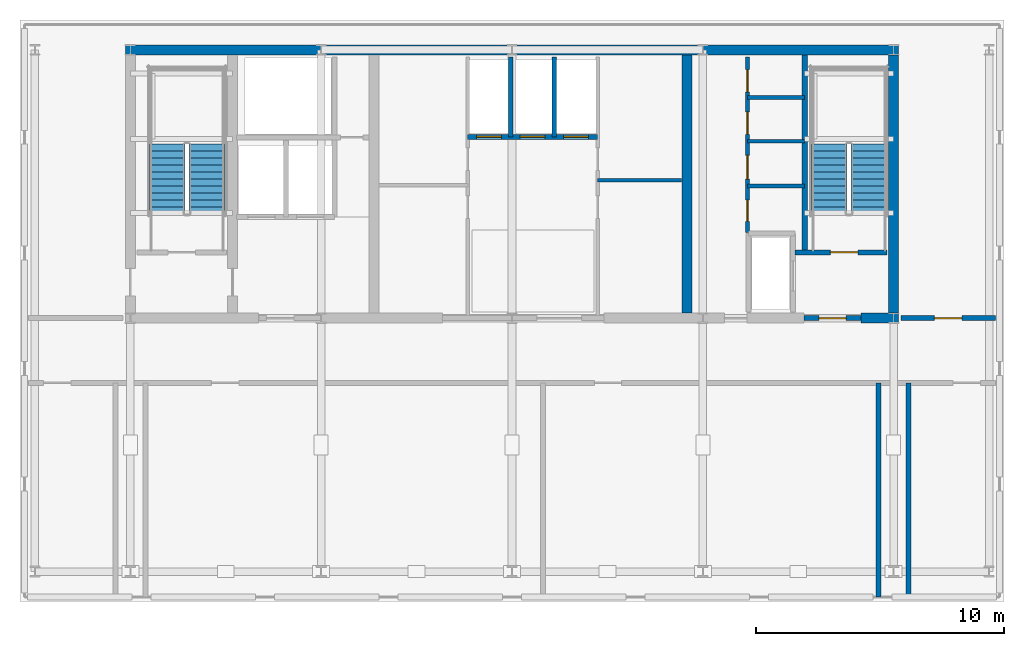
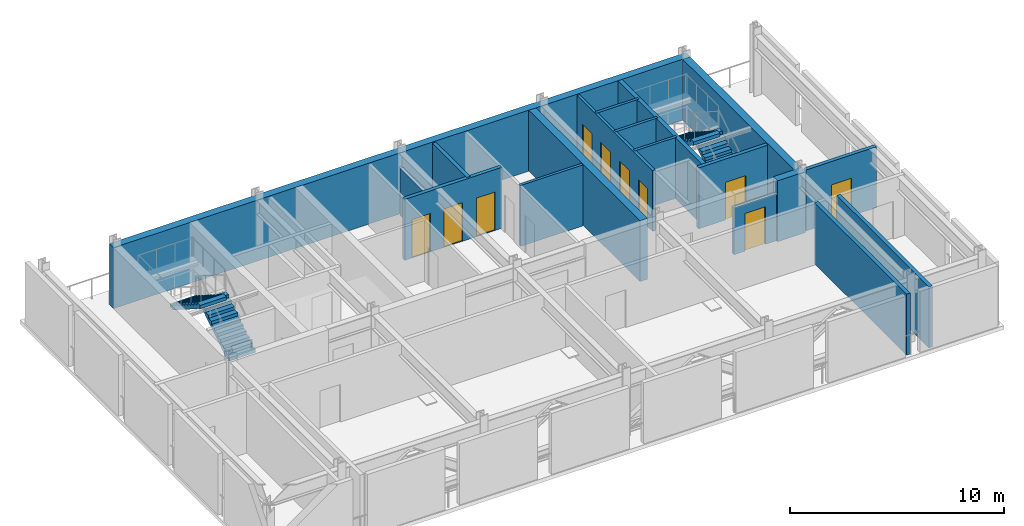
# One storey, part 3 of 8: 18 walls, 10 doors, 4 stair flights, 10 openings, 2 elements without a shape of their own.
"""IFC4 building model written with IfcOpenShell, lengths in metres."""

from ifc_helpers import new_model, si_unit, direction, frame, frame_2d, origin, place, context, subcontext, project, spatial, polyline, rectangle, outline, extrude, material, layer, layer_set, type_object, element, fill, aggregate, save


model = new_model("IFC4")

# Units and contexts
model_context = context("Model", 3, precision=1e-05, world=origin(), true_north=direction((0.0, 1.0)))
body_context = subcontext(model_context, "Body", "Model", "MODEL_VIEW")
ifc_project = project(units=[si_unit("LENGTHUNIT", "METRE"), si_unit("AREAUNIT", "SQUARE_METRE"), si_unit("VOLUMEUNIT", "CUBIC_METRE"), si_unit("PLANEANGLEUNIT", "RADIAN"), si_unit("MASSUNIT", "GRAM", prefix="KILO")], contexts=[model_context])

# Site, building, storey
site_placement = place(None, origin())
site = spatial("IfcSite", under=ifc_project, at=site_placement, CompositionType="ELEMENT")
building_placement = place(site_placement, origin())
building = spatial("IfcBuilding", under=site, at=building_placement, Name="Yelkora Congress Tower", CompositionType="ELEMENT")
storey_placement = place(building_placement, frame((0.0, 0.0, 251.300048828125)))
storey = spatial("IfcBuildingStorey", under=building, at=storey_placement, Name="L70", CompositionType="ELEMENT", Elevation=251.300048828125)

# Walls
ifc_material_1 = material(Name="Concrete C50/60", Category="concrete")
ifc_layer_1 = layer(ifc_material_1, 0.219970703125)
ifc_layer_set_1 = layer_set([ifc_layer_1], Name="Concrete C50/60")
wall_type_1 = type_object("IfcWallType", Name="WALL-CORE-INT-220", PredefinedType="SHEAR", material=ifc_layer_set_1)
wall_1_placement = place(storey_placement, frame((50.179931640625, 38.050048828125, 0.0), z_axis=(0.0, 0.0, 1.0), x_axis=(0.0, 1.0, 0.0)))
element("IfcWall", 1, at=wall_1_placement, inside=storey, type_object=wall_type_1, Name="L70 ST02 West Stair Shear Wall", PredefinedType="SHEAR", context=body_context, shape_type="SweptSolid", body=[
    extrude(rectangle(XDim=7.949951171875, YDim=0.219970703125, at=frame_2d((3.97509765625, 0.0))), origin(), (0.0, 0.0, 1.0), 3.47998046875),
])
ifc_layer_2 = layer(ifc_material_1, 0.39990234375)
ifc_layer_set_2 = layer_set([ifc_layer_2], Name="Concrete C50/60")
wall_type_2 = type_object("IfcWallType", Name="WALL-CORE-INT-400", PredefinedType="SHEAR", material=ifc_layer_set_2)
wall_2_placement = place(storey_placement, frame((22.840087890625, 46.199951171875, 0.0), z_axis=(0.0, 0.0, 1.0), x_axis=(1.0, 0.0, 0.0)))
element("IfcWall", 2, at=wall_2_placement, inside=storey, type_object=wall_type_2, Name="L70 Rear Core North Shear Wall", PredefinedType="SHEAR", context=body_context, shape_type="SweptSolid", body=[
    extrude(rectangle(XDim=31.119873046875, YDim=0.39990234375, at=frame_2d((15.56005859375, 0.0))), origin(), (0.0, 0.0, 1.0), 3.47998046875),
])
wall_3_placement = place(storey_placement, frame((52.449951171875, 35.39990234375, 0.0), z_axis=(0.0, 0.0, 1.0), x_axis=(1.0, 0.0, 0.0)))
element("IfcWall", 3, at=wall_3_placement, inside=storey, type_object=wall_type_2, Name="L70 Rear Core South-East Shear Wall B", PredefinedType="SHEAR", context=body_context, shape_type="SweptSolid", body=[
    extrude(rectangle(XDim=1.510009765625, YDim=0.39990234375, at=frame_2d((0.7548828125, 0.0))), origin(), (0.0, 0.0, 1.0), 3.47998046875),
])
for number, where, z_axis, x_axis, name in (
    (4, (45.449951171875, 35.60009765625, 0.0), (0.0, 0.0, 1.0), (0.0, 1.0, 0.0), "L70 Rear Core Cross Shear Wall C3"),
    (5, (53.760009765625, 35.60009765625, 0.0), (0.0, 0.0, 1.0), (0.0, 1.0, 0.0), "L70 Rear Core Cross Shear Wall E"),
):
    element("IfcWall", number, at=place(storey_placement, frame(where, z_axis=z_axis, x_axis=x_axis)), inside=storey, type_object=wall_type_2, Name=name, PredefinedType="SHEAR", context=body_context, shape_type="SweptSolid", body=[
        extrude(rectangle(XDim=10.39990234375, YDim=0.39990234375, at=frame_2d((5.199951171875, 0.0))), origin(), (0.0, 0.0, 1.0), 3.47998046875),
    ])
ifc_material_2 = material(Name="Acoustic metal-stud gypsum partition", Category="gypsum")
ifc_layer_3 = layer(ifc_material_2, 0.14990234375)
ifc_layer_set_3 = layer_set([ifc_layer_3], Name="Acoustic metal-stud gypsum partition")
wall_type_3 = type_object("IfcWallType", Name="WALL-INT-150-NR", PredefinedType="PARTITIONING", material=ifc_layer_set_3)
for number, where, z_axis, x_axis, name in (
    (6, (47.8798828125, 40.719970703125, 0.0), (0.0, 0.0, 1.0), (1.0, 0.0, 0.0), "L70 Partition Wall 20"),
    (7, (47.8798828125, 42.52001953125, 0.0), (0.0, 0.0, 1.0), (1.0, 0.0, 0.0), "L70 Partition Wall 21"),
    (8, (47.8798828125, 44.280029296875, 0.0), (0.0, 0.0, 1.0), (1.0, 0.0, 0.0), "L70 Partition Wall 22"),
):
    element("IfcWall", number, at=place(storey_placement, frame(where, z_axis=z_axis, x_axis=x_axis)), inside=storey, type_object=wall_type_3, Name=name, PredefinedType="PARTITIONING", context=body_context, shape_type="SweptSolid", body=[
        extrude(rectangle(XDim=2.300048828125, YDim=0.14990234375, at=frame_2d((1.14990234375, 0.0))), origin(), (0.0, 0.0, 1.0), 3.47998046875),
    ])

# Wall, openings, doors
wall_4_placement = place(storey_placement, frame((47.8798828125, 38.85009765625, 0.0), z_axis=(0.0, 0.0, 1.0), x_axis=(0.0, 1.0, 0.0)))
wall_4 = element("IfcWall", 9, at=wall_4_placement, inside=storey, type_object=wall_type_3, Name="L70 Partition Wall 23", PredefinedType="PARTITIONING", context=body_context, shape_type="SweptSolid", body=[
    extrude(rectangle(XDim=7.06982421875, YDim=0.14990234375, at=frame_2d((3.534912109375, 0.0))), origin(), (0.0, 0.0, 1.0), 3.47998046875),
])
opening_1_placement = place(wall_4_placement, frame((0.449951171875, 0.0, 0.0)))
opening_1 = element("IfcOpeningElement", 10, at=opening_1_placement, cuts=wall_4, Name="Opening DR-085N", PredefinedType="OPENING", context=body_context, shape_type="SweptSolid", body=[
    extrude(rectangle(XDim=0.85009765625, YDim=2.14990234375, at=frame_2d((0.425048828125, 1.074951171875))), frame((0.0, 0.0849609375, 0.0), z_axis=(0.0, -1.0, 0.0), x_axis=(1.0, 0.0, 0.0)), (0.0, 0.0, 1.0), 0.169921875),
])
opening_2_placement = place(wall_4_placement, frame((2.14990234375, 0.0, 0.0)))
opening_2 = element("IfcOpeningElement", 11, at=opening_2_placement, cuts=wall_4, Name="Opening DR-095N", PredefinedType="OPENING", context=body_context, shape_type="SweptSolid", body=[
    extrude(rectangle(XDim=0.949951171875, YDim=2.14990234375, at=frame_2d((0.47509765625, 1.074951171875))), frame((0.0, 0.0849609375, 0.0), z_axis=(0.0, -1.0, 0.0), x_axis=(1.0, 0.0, 0.0)), (0.0, 0.0, 1.0), 0.169921875),
])
opening_3_placement = place(wall_4_placement, frame((3.949951171875, 0.0, 0.0)))
opening_3 = element("IfcOpeningElement", 12, at=opening_3_placement, cuts=wall_4, Name="Opening DR-090N", PredefinedType="OPENING", context=body_context, shape_type="SweptSolid", body=[
    extrude(rectangle(XDim=0.89990234375, YDim=2.14990234375, at=frame_2d((0.449951171875, 1.074951171875))), frame((0.0, 0.0849609375, 0.0), z_axis=(0.0, -1.0, 0.0), x_axis=(1.0, 0.0, 0.0)), (0.0, 0.0, 1.0), 0.169921875),
])
opening_4_placement = place(wall_4_placement, frame((5.64990234375, 0.0, 0.0)))
opening_4 = element("IfcOpeningElement", 13, at=opening_4_placement, cuts=wall_4, Name="Opening DR-090N", PredefinedType="OPENING", context=body_context, shape_type="SweptSolid", body=[
    extrude(rectangle(XDim=0.89990234375, YDim=2.14990234375, at=frame_2d((0.449951171875, 1.074951171875))), frame((0.0, 0.0849609375, 0.0), z_axis=(0.0, -1.0, 0.0), x_axis=(1.0, 0.0, 0.0)), (0.0, 0.0, 1.0), 0.169921875),
])
ifc_material_3 = material(Name="Laminate service store door leaf", Category="wood")
door_type_1 = type_object("IfcDoorType", Name="DOOR-INT-850", OperationType="NOTDEFINED", PredefinedType="DOOR", material=ifc_material_3)
door_1_placement = place(opening_1_placement, origin())
door_1 = element("IfcDoor", 14, at=door_1_placement, inside=storey, type_object=door_type_1, Name="L70 Janitor Room Door", OperationType="SINGLE_SWING_LEFT", OverallHeight=2.14990234375, OverallWidth=0.85009765625, PredefinedType="DOOR", context=body_context, shape_type="SweptSolid", body=[
    extrude(rectangle(XDim=0.85009765625, YDim=2.14990234375, at=frame_2d((0.425048828125, 1.074951171875))), frame((0.0, 0.02490234375, 0.0), z_axis=(0.0, -1.0, 0.0), x_axis=(1.0, 0.0, 0.0)), (0.0, 0.0, 1.0), 0.050048828125),
])
fill(opening_1, door_1)
ifc_material_4 = material(Name="Moisture-resistant laminate door leaf", Category="wood")
door_type_2 = type_object("IfcDoorType", Name="DOOR-INT-900", OperationType="NOTDEFINED", PredefinedType="DOOR", material=ifc_material_4)
door_2_placement = place(opening_3_placement, origin())
door_2 = element("IfcDoor", 15, at=door_2_placement, inside=storey, type_object=door_type_2, Name="L70 Male WC Door", OperationType="SINGLE_SWING_LEFT", OverallHeight=2.14990234375, OverallWidth=0.89990234375, PredefinedType="DOOR", context=body_context, shape_type="SweptSolid", body=[
    extrude(rectangle(XDim=0.89990234375, YDim=2.14990234375, at=frame_2d((0.449951171875, 1.074951171875))), frame((0.0, 0.02490234375, 0.0), z_axis=(0.0, -1.0, 0.0), x_axis=(1.0, 0.0, 0.0)), (0.0, 0.0, 1.0), 0.050048828125),
])
fill(opening_3, door_2)
door_3_placement = place(opening_4_placement, origin())
door_3 = element("IfcDoor", 16, at=door_3_placement, inside=storey, type_object=door_type_2, Name="L70 Female WC Door", OperationType="SINGLE_SWING_RIGHT", OverallHeight=2.14990234375, OverallWidth=0.89990234375, PredefinedType="DOOR", context=body_context, shape_type="SweptSolid", body=[
    extrude(rectangle(XDim=0.89990234375, YDim=2.14990234375, at=frame_2d((0.449951171875, 1.074951171875))), frame((0.0, 0.02490234375, 0.0), z_axis=(0.0, -1.0, 0.0), x_axis=(1.0, 0.0, 0.0)), (0.0, 0.0, 1.0), 0.050048828125),
])
fill(opening_4, door_3)
ifc_material_5 = material(Name="Acoustic laminated timber office door", Category="wood")
door_type_3 = type_object("IfcDoorType", Name="DOOR-INT-950", OperationType="NOTDEFINED", PredefinedType="DOOR", material=ifc_material_5)
door_4_placement = place(opening_2_placement, origin())
door_4 = element("IfcDoor", 17, at=door_4_placement, inside=storey, type_object=door_type_3, Name="L70 Accessible WC Door", OperationType="SINGLE_SWING_RIGHT", OverallHeight=2.14990234375, OverallWidth=0.949951171875, PredefinedType="DOOR", context=body_context, shape_type="SweptSolid", body=[
    extrude(rectangle(XDim=0.949951171875, YDim=2.14990234375, at=frame_2d((0.47509765625, 1.074951171875))), frame((0.0, 0.02490234375, 0.0), z_axis=(0.0, -1.0, 0.0), x_axis=(1.0, 0.0, 0.0)), (0.0, 0.0, 1.0), 0.050048828125),
])
fill(opening_2, door_4)

# Wall
ifc_material_6 = material(Name="Twin-stud fire-rated gypsum partition", Category="gypsum")
ifc_layer_4 = layer(ifc_material_6, 0.14990234375)
ifc_layer_set_4 = layer_set([ifc_layer_4], Name="Twin-stud fire-rated gypsum partition")
wall_type_4 = type_object("IfcWallType", Name="WALL-INT-150-R60", PredefinedType="PARTITIONING", material=ifc_layer_set_4)
wall_5_placement = place(storey_placement, frame((41.85009765625, 40.949951171875, 0.0), z_axis=(0.0, 0.0, 1.0), x_axis=(1.0, 0.0, 0.0)))
element("IfcWall", 18, at=wall_5_placement, inside=storey, type_object=wall_type_4, Name="L70 Partition Wall 13", PredefinedType="PARTITIONING", context=body_context, shape_type="SweptSolid", body=[
    extrude(rectangle(XDim=3.369873046875, YDim=0.14990234375, at=frame_2d((1.68505859375, 0.0))), origin(), (0.0, 0.0, 1.0), 3.47998046875),
])

# Wall, openings, doors
ifc_material_7 = material(Name="Autoclaved aerated concrete blockwork", Category="masonry")
ifc_layer_5 = layer(ifc_material_7, 0.199951171875)
ifc_layer_set_5 = layer_set([ifc_layer_5], Name="Autoclaved aerated concrete blockwork")
wall_type_5 = type_object("IfcWallType", Name="WALL-INT-200-R120", PredefinedType="PARTITIONING", material=ifc_layer_set_5)
wall_6_placement = place(storey_placement, frame((36.60009765625, 42.699951171875, 0.0), z_axis=(0.0, 0.0, 1.0), x_axis=(1.0, 0.0, 0.0)))
wall_6 = element("IfcWall", 19, at=wall_6_placement, inside=storey, type_object=wall_type_5, Name="L70 Partition Wall 8", PredefinedType="PARTITIONING", context=body_context, shape_type="SweptSolid", body=[
    extrude(rectangle(XDim=5.25, YDim=0.199951171875, at=frame_2d((2.625, 0.0))), origin(), (0.0, 0.0, 1.0), 3.47998046875),
])
opening_5_placement = place(wall_6_placement, frame((0.375, 0.0, 0.0)))
opening_5 = element("IfcOpeningElement", 20, at=opening_5_placement, cuts=wall_6, Name="Opening LD-PS10", PredefinedType="OPENING", context=body_context, shape_type="SweptSolid", body=[
    extrude(rectangle(XDim=1.0, YDim=2.199951171875, at=frame_2d((0.5, 1.10009765625))), frame((0.0, 0.10986328125, 0.0), z_axis=(0.0, -1.0, 0.0), x_axis=(1.0, 0.0, 0.0)), (0.0, 0.0, 1.0), 0.219970703125),
])
opening_6_placement = place(wall_6_placement, frame((2.125, 0.0, 0.0)))
opening_6 = element("IfcOpeningElement", 21, at=opening_6_placement, cuts=wall_6, Name="Opening LD-PS10", PredefinedType="OPENING", context=body_context, shape_type="SweptSolid", body=[
    extrude(rectangle(XDim=1.0, YDim=2.199951171875, at=frame_2d((0.5, 1.10009765625))), frame((0.0, 0.10986328125, 0.0), z_axis=(0.0, -1.0, 0.0), x_axis=(1.0, 0.0, 0.0)), (0.0, 0.0, 1.0), 0.219970703125),
])
opening_7_placement = place(wall_6_placement, frame((3.875, 0.0, 0.0)))
opening_7 = element("IfcOpeningElement", 22, at=opening_7_placement, cuts=wall_6, Name="Opening LD-PS10", PredefinedType="OPENING", context=body_context, shape_type="SweptSolid", body=[
    extrude(rectangle(XDim=1.0, YDim=2.199951171875, at=frame_2d((0.5, 1.10009765625))), frame((0.0, 0.10986328125, 0.0), z_axis=(0.0, -1.0, 0.0), x_axis=(1.0, 0.0, 0.0)), (0.0, 0.0, 1.0), 0.219970703125),
])
ifc_material_8 = material(Name="Champagne stainless steel landing door", Category="steel")
door_type_4 = type_object("IfcDoorType", Name="DOOR-LIFT-PAS-1000", OperationType="DOUBLE_DOOR_SLIDING", PredefinedType="DOOR", material=ifc_material_8)
door_5_placement = place(opening_5_placement, origin())
door_5 = element("IfcDoor", 23, at=door_5_placement, inside=storey, type_object=door_type_4, Name="Lift Landing Door LF-P9 L70", OperationType="DOUBLE_DOOR_SLIDING", OverallHeight=2.199951171875, OverallWidth=1.0, PredefinedType="DOOR", context=body_context, shape_type="SweptSolid", body=[
    extrude(rectangle(XDim=1.0, YDim=2.199951171875, at=frame_2d((0.5, 1.10009765625))), frame((0.0, 0.02490234375, 0.0), z_axis=(0.0, -1.0, 0.0), x_axis=(1.0, 0.0, 0.0)), (0.0, 0.0, 1.0), 0.050048828125),
])
fill(opening_5, door_5)
door_6_placement = place(opening_6_placement, origin())
door_6 = element("IfcDoor", 24, at=door_6_placement, inside=storey, type_object=door_type_4, Name="Lift Landing Door LF-P10 L70", OperationType="DOUBLE_DOOR_SLIDING", OverallHeight=2.199951171875, OverallWidth=1.0, PredefinedType="DOOR", context=body_context, shape_type="SweptSolid", body=[
    extrude(rectangle(XDim=1.0, YDim=2.199951171875, at=frame_2d((0.5, 1.10009765625))), frame((0.0, 0.02490234375, 0.0), z_axis=(0.0, -1.0, 0.0), x_axis=(1.0, 0.0, 0.0)), (0.0, 0.0, 1.0), 0.050048828125),
])
fill(opening_6, door_6)
door_7_placement = place(opening_7_placement, origin())
door_7 = element("IfcDoor", 25, at=door_7_placement, inside=storey, type_object=door_type_4, Name="Lift Landing Door LF-P11 L70", OperationType="DOUBLE_DOOR_SLIDING", OverallHeight=2.199951171875, OverallWidth=1.0, PredefinedType="DOOR", context=body_context, shape_type="SweptSolid", body=[
    extrude(rectangle(XDim=1.0, YDim=2.199951171875, at=frame_2d((0.5, 1.10009765625))), frame((0.0, 0.02490234375, 0.0), z_axis=(0.0, -1.0, 0.0), x_axis=(1.0, 0.0, 0.0)), (0.0, 0.0, 1.0), 0.050048828125),
])
fill(opening_7, door_7)

# Walls
wall_7_placement = place(storey_placement, frame((38.35009765625, 42.699951171875, 0.0), z_axis=(0.0, 0.0, 1.0), x_axis=(0.0, 1.0, 0.0)))
element("IfcWall", 26, at=wall_7_placement, inside=storey, type_object=wall_type_5, Name="L70 Partition Wall 9", PredefinedType="PARTITIONING", context=body_context, shape_type="SweptSolid", body=[
    extrude(rectangle(XDim=3.219970703125, YDim=0.199951171875, at=frame_2d((1.60986328125, 0.0))), origin(), (0.0, 0.0, 1.0), 2.660888671875),
])
wall_8_placement = place(storey_placement, frame((40.10009765625, 42.699951171875, 0.0), z_axis=(0.0, 0.0, 1.0), x_axis=(0.0, 1.0, 0.0)))
element("IfcWall", 27, at=wall_8_placement, inside=storey, type_object=wall_type_5, Name="L70 Partition Wall 10", PredefinedType="PARTITIONING", context=body_context, shape_type="SweptSolid", body=[
    extrude(rectangle(XDim=3.219970703125, YDim=0.199951171875, at=frame_2d((1.60986328125, 0.0))), origin(), (0.0, 0.0, 1.0), 3.47998046875),
])

# Wall, opening, door
wall_9_placement = place(storey_placement, frame((49.780029296875, 38.050048828125, 0.0), z_axis=(0.0, 0.0, 1.0), x_axis=(1.0, 0.0, 0.0)))
wall_9 = element("IfcWall", 28, at=wall_9_placement, inside=storey, type_object=wall_type_5, Name="L70 Stair ST-02 Enclosure Wall", PredefinedType="PARTITIONING", context=body_context, shape_type="SweptSolid", body=[
    extrude(rectangle(XDim=3.719970703125, YDim=0.199951171875, at=frame_2d((1.85986328125, 0.0))), origin(), (0.0, 0.0, 1.0), 3.47998046875),
])
opening_8_placement = place(wall_9_placement, frame((1.436279296875, 0.0, 0.0)))
opening_8 = element("IfcOpeningElement", 29, at=opening_8_placement, cuts=wall_9, Name="Opening DR-110F9", PredefinedType="OPENING", context=body_context, shape_type="SweptSolid", body=[
    extrude(rectangle(XDim=1.10009765625, YDim=2.14990234375, at=frame_2d((0.550048828125, 1.074951171875))), frame((0.0, 0.10986328125, 0.0), z_axis=(0.0, -1.0, 0.0), x_axis=(1.0, 0.0, 0.0)), (0.0, 0.0, 1.0), 0.219970703125),
])
ifc_material_9 = material(Name="Galvanised steel fire door leaf", Category="steel")
door_type_5 = type_object("IfcDoorType", Name="DOOR-FD90-1100", OperationType="NOTDEFINED", PredefinedType="DOOR", material=ifc_material_9)
door_8_placement = place(opening_8_placement, origin())
door_8 = element("IfcDoor", 30, at=door_8_placement, inside=storey, type_object=door_type_5, Name="L70 Stair ST-02 Entry Door", OperationType="SINGLE_SWING_RIGHT", OverallHeight=2.14990234375, OverallWidth=1.10009765625, PredefinedType="DOOR", context=body_context, shape_type="SweptSolid", body=[
    extrude(rectangle(XDim=1.10009765625, YDim=2.14990234375, at=frame_2d((0.550048828125, 1.074951171875))), frame((0.0, 0.02490234375, 0.0), z_axis=(0.0, -1.0, 0.0), x_axis=(1.0, 0.0, 0.0)), (0.0, 0.0, 1.0), 0.050048828125),
])
fill(opening_8, door_8)

wall_10_placement = place(storey_placement, frame((50.14990234375, 35.39990234375, 0.0), z_axis=(0.0, 0.0, 1.0), x_axis=(1.0, 0.0, 0.0)))
wall_10 = element("IfcWall", 31, at=wall_10_placement, inside=storey, type_object=wall_type_5, Name="L70 Partition Wall 16", PredefinedType="PARTITIONING", context=body_context, shape_type="SweptSolid", body=[
    extrude(rectangle(XDim=2.300048828125, YDim=0.199951171875, at=frame_2d((1.14990234375, 0.0))), origin(), (0.0, 0.0, 1.0), 2.660888671875),
])
opening_9_placement = place(wall_10_placement, frame((0.60009765625, 0.0, 0.0)))
opening_9 = element("IfcOpeningElement", 32, at=opening_9_placement, cuts=wall_10, Name="Opening DR-110F9", PredefinedType="OPENING", context=body_context, shape_type="SweptSolid", body=[
    extrude(rectangle(XDim=1.10009765625, YDim=2.14990234375, at=frame_2d((0.550048828125, 1.074951171875))), frame((0.0, 0.10986328125, 0.0), z_axis=(0.0, -1.0, 0.0), x_axis=(1.0, 0.0, 0.0)), (0.0, 0.0, 1.0), 0.219970703125),
])
door_9_placement = place(opening_9_placement, origin())
door_9 = element("IfcDoor", 33, at=door_9_placement, inside=storey, type_object=door_type_5, Name="L70 East Stair Lobby Door", OperationType="SINGLE_SWING_LEFT", OverallHeight=2.14990234375, OverallWidth=1.10009765625, PredefinedType="DOOR", context=body_context, shape_type="SweptSolid", body=[
    extrude(rectangle(XDim=1.10009765625, YDim=2.14990234375, at=frame_2d((0.550048828125, 1.074951171875))), frame((0.0, 0.02490234375, 0.0), z_axis=(0.0, -1.0, 0.0), x_axis=(1.0, 0.0, 0.0)), (0.0, 0.0, 1.0), 0.050048828125),
])
fill(opening_9, door_9)

wall_11_placement = place(storey_placement, frame((54.050048828125, 35.39990234375, 0.0), z_axis=(0.0, 0.0, 1.0), x_axis=(1.0, 0.0, 0.0)))
wall_11 = element("IfcWall", 34, at=wall_11_placement, inside=storey, type_object=wall_type_5, Name="L70 Partition Wall 25", PredefinedType="PARTITIONING", context=body_context, shape_type="SweptSolid", body=[
    extrude(rectangle(XDim=3.800048828125, YDim=0.199951171875, at=frame_2d((1.89990234375, 0.0))), origin(), (0.0, 0.0, 1.0), 3.47998046875),
])
opening_10_placement = place(wall_11_placement, frame((1.35009765625, 0.0, 0.0)))
opening_10 = element("IfcOpeningElement", 35, at=opening_10_placement, cuts=wall_11, Name="Opening DR-110F9", PredefinedType="OPENING", context=body_context, shape_type="SweptSolid", body=[
    extrude(rectangle(XDim=1.10009765625, YDim=2.14990234375, at=frame_2d((0.550048828125, 1.074951171875))), frame((0.0, 0.10986328125, 0.0), z_axis=(0.0, -1.0, 0.0), x_axis=(1.0, 0.0, 0.0)), (0.0, 0.0, 1.0), 0.219970703125),
])
door_10_placement = place(opening_10_placement, origin())
door_10 = element("IfcDoor", 36, at=door_10_placement, inside=storey, type_object=door_type_5, Name="L70 Interior Door 21", OperationType="SINGLE_SWING_LEFT", OverallHeight=2.14990234375, OverallWidth=1.10009765625, PredefinedType="DOOR", context=body_context, shape_type="SweptSolid", body=[
    extrude(rectangle(XDim=1.10009765625, YDim=2.14990234375, at=frame_2d((0.550048828125, 1.074951171875))), frame((0.0, 0.02490234375, 0.0), z_axis=(0.0, -1.0, 0.0), x_axis=(1.0, 0.0, 0.0)), (0.0, 0.0, 1.0), 0.050048828125),
])
fill(opening_10, door_10)

# Walls
for number, where, z_axis, x_axis, name in (
    (37, (53.14990234375, 24.179931640625, 0.0), (0.0, 0.0, 1.0), (0.0, 1.0, 0.0), "L70 Partition Wall 29"),
    (38, (54.35009765625, 24.179931640625, 0.0), (0.0, 0.0, 1.0), (0.0, 1.0, 0.0), "L70 Partition Wall 30"),
):
    element("IfcWall", number, at=place(storey_placement, frame(where, z_axis=z_axis, x_axis=x_axis)), inside=storey, type_object=wall_type_5, Name=name, PredefinedType="PARTITIONING", context=body_context, shape_type="SweptSolid", body=[
        extrude(rectangle(XDim=8.6201171875, YDim=0.199951171875, at=frame_2d((4.31005859375, 0.0))), origin(), (0.0, 0.0, 1.0), 3.47998046875),
    ])

# Stair, stair flights
ifc_material_10 = material(Name="Concrete C40/50", Category="concrete")
stair_type = type_object("IfcStairType", Name="STAIR-HT-1420-R22-177", PredefinedType="HALF_TURN_STAIR", material=ifc_material_10)
stair_1_placement = place(storey_placement, origin())
stair_1 = element("IfcStair", 39, at=stair_1_placement, inside=storey, type_object=stair_type, Name="West Core Protected Exit Stair ST-01 (L70)", PredefinedType="HALF_TURN_STAIR")
stair_flight_type = type_object("IfcStairFlightType", Name="FLIGHT-1420-N11-R177-G280", PredefinedType="STRAIGHT", material=ifc_material_10)
stair_flight_1_placement = place(storey_placement, frame((26.110107421875, 39.60009765625, 0.0), z_axis=(0.0, 0.0, 1.0), x_axis=(0.0, 1.0, 0.0)))
stair_flight_1 = element("IfcStairFlight", 40, at=stair_flight_1_placement, type_object=stair_flight_type, Name="ST-01 L70 Flight 1", NumberOfRisers=11, NumberOfTreads=10, PredefinedType="STRAIGHT", RiserHeight=0.177272727, TreadLength=0.28, context=body_context, shape_type="SweptSolid", body=[
    extrude(outline(polyline([(0.0, 0.0), (0.0, 0.17724609375), (0.280029296875, 0.17724609375), (0.280029296875, 0.3544921875), (0.56005859375, 0.3544921875), (0.56005859375, 0.53173828125), (0.840087890625, 0.53173828125), (0.840087890625, 0.708984375), (1.1201171875, 0.708984375), (1.1201171875, 0.886474609375), (1.39990234375, 0.886474609375), (1.39990234375, 1.063720703125), (1.679931640625, 1.063720703125), (1.679931640625, 1.240966796875), (1.9599609375, 1.240966796875), (1.9599609375, 1.418212890625), (2.239990234375, 1.418212890625), (2.239990234375, 1.595458984375), (2.52001953125, 1.595458984375), (2.52001953125, 1.772705078125), (2.800048828125, 1.772705078125), (2.800048828125, 1.949951171875), (2.800048828125, 1.58349609375), (0.298828125, 0.0), (0.0, 0.0)])), frame((0.0, 0.7099609375, 0.0), z_axis=(0.0, -1.0, 0.0), x_axis=(1.0, 0.0, 0.0)), (0.0, 0.0, 1.0), 1.419921875),
])
stair_flight_2_placement = place(storey_placement, frame((24.530029296875, 42.39990234375, 1.949951171875), z_axis=(0.0, 0.0, 1.0), x_axis=(0.0, -1.0, 0.0)))
stair_flight_2 = element("IfcStairFlight", 41, at=stair_flight_2_placement, type_object=stair_flight_type, Name="ST-01 L70 Flight 2", NumberOfRisers=11, NumberOfTreads=10, PredefinedType="STRAIGHT", RiserHeight=0.177272727, TreadLength=0.28, context=body_context, shape_type="SweptSolid", body=[
    extrude(outline(polyline([(0.0, 0.0), (0.0, 0.17724609375), (0.280029296875, 0.17724609375), (0.280029296875, 0.3544921875), (0.56005859375, 0.3544921875), (0.56005859375, 0.53173828125), (0.840087890625, 0.53173828125), (0.840087890625, 0.708984375), (1.1201171875, 0.708984375), (1.1201171875, 0.886474609375), (1.39990234375, 0.886474609375), (1.39990234375, 1.063720703125), (1.679931640625, 1.063720703125), (1.679931640625, 1.240966796875), (1.9599609375, 1.240966796875), (1.9599609375, 1.418212890625), (2.239990234375, 1.418212890625), (2.239990234375, 1.595458984375), (2.52001953125, 1.595458984375), (2.52001953125, 1.772705078125), (2.800048828125, 1.772705078125), (2.800048828125, 1.949951171875), (2.800048828125, 1.58349609375), (0.298828125, 0.0), (0.0, 0.0)])), frame((0.0, 0.7099609375, 0.0), z_axis=(0.0, -1.0, 0.0), x_axis=(1.0, 0.0, 0.0)), (0.0, 0.0, 1.0), 1.419921875),
])
aggregate(stair_1, [stair_flight_1, stair_flight_2])

stair_2_placement = place(storey_placement, origin())
stair_2 = element("IfcStair", 42, at=stair_2_placement, inside=storey, type_object=stair_type, Name="East Core Protected Exit Stair ST-02 (L70)", PredefinedType="HALF_TURN_STAIR")
stair_flight_3_placement = place(storey_placement, frame((52.75, 39.60009765625, 0.0), z_axis=(0.0, 0.0, 1.0), x_axis=(0.0, 1.0, 0.0)))
stair_flight_3 = element("IfcStairFlight", 43, at=stair_flight_3_placement, type_object=stair_flight_type, Name="ST-02 L70 Flight 1", NumberOfRisers=11, NumberOfTreads=10, PredefinedType="STRAIGHT", RiserHeight=0.177272727, TreadLength=0.28, context=body_context, shape_type="SweptSolid", body=[
    extrude(outline(polyline([(0.0, 0.0), (0.0, 0.17724609375), (0.280029296875, 0.17724609375), (0.280029296875, 0.3544921875), (0.56005859375, 0.3544921875), (0.56005859375, 0.53173828125), (0.840087890625, 0.53173828125), (0.840087890625, 0.708984375), (1.1201171875, 0.708984375), (1.1201171875, 0.886474609375), (1.39990234375, 0.886474609375), (1.39990234375, 1.063720703125), (1.679931640625, 1.063720703125), (1.679931640625, 1.240966796875), (1.9599609375, 1.240966796875), (1.9599609375, 1.418212890625), (2.239990234375, 1.418212890625), (2.239990234375, 1.595458984375), (2.52001953125, 1.595458984375), (2.52001953125, 1.772705078125), (2.800048828125, 1.772705078125), (2.800048828125, 1.949951171875), (2.800048828125, 1.58349609375), (0.298828125, 0.0), (0.0, 0.0)])), frame((0.0, 0.7099609375, 0.0), z_axis=(0.0, -1.0, 0.0), x_axis=(1.0, 0.0, 0.0)), (0.0, 0.0, 1.0), 1.419921875),
])
stair_flight_4_placement = place(storey_placement, frame((51.169921875, 42.39990234375, 1.949951171875), z_axis=(0.0, 0.0, 1.0), x_axis=(0.0, -1.0, 0.0)))
stair_flight_4 = element("IfcStairFlight", 44, at=stair_flight_4_placement, type_object=stair_flight_type, Name="ST-02 L70 Flight 2", NumberOfRisers=11, NumberOfTreads=10, PredefinedType="STRAIGHT", RiserHeight=0.177272727, TreadLength=0.28, context=body_context, shape_type="SweptSolid", body=[
    extrude(outline(polyline([(0.0, 0.0), (0.0, 0.17724609375), (0.280029296875, 0.17724609375), (0.280029296875, 0.3544921875), (0.56005859375, 0.3544921875), (0.56005859375, 0.53173828125), (0.840087890625, 0.53173828125), (0.840087890625, 0.708984375), (1.1201171875, 0.708984375), (1.1201171875, 0.886474609375), (1.39990234375, 0.886474609375), (1.39990234375, 1.063720703125), (1.679931640625, 1.063720703125), (1.679931640625, 1.240966796875), (1.9599609375, 1.240966796875), (1.9599609375, 1.418212890625), (2.239990234375, 1.418212890625), (2.239990234375, 1.595458984375), (2.52001953125, 1.595458984375), (2.52001953125, 1.772705078125), (2.800048828125, 1.772705078125), (2.800048828125, 1.949951171875), (2.800048828125, 1.58349609375), (0.298828125, 0.0), (0.0, 0.0)])), frame((0.0, 0.7099609375, 0.0), z_axis=(0.0, -1.0, 0.0), x_axis=(1.0, 0.0, 0.0)), (0.0, 0.0, 1.0), 1.419921875),
])
aggregate(stair_2, [stair_flight_3, stair_flight_4])

save(model, "model.ifc")
